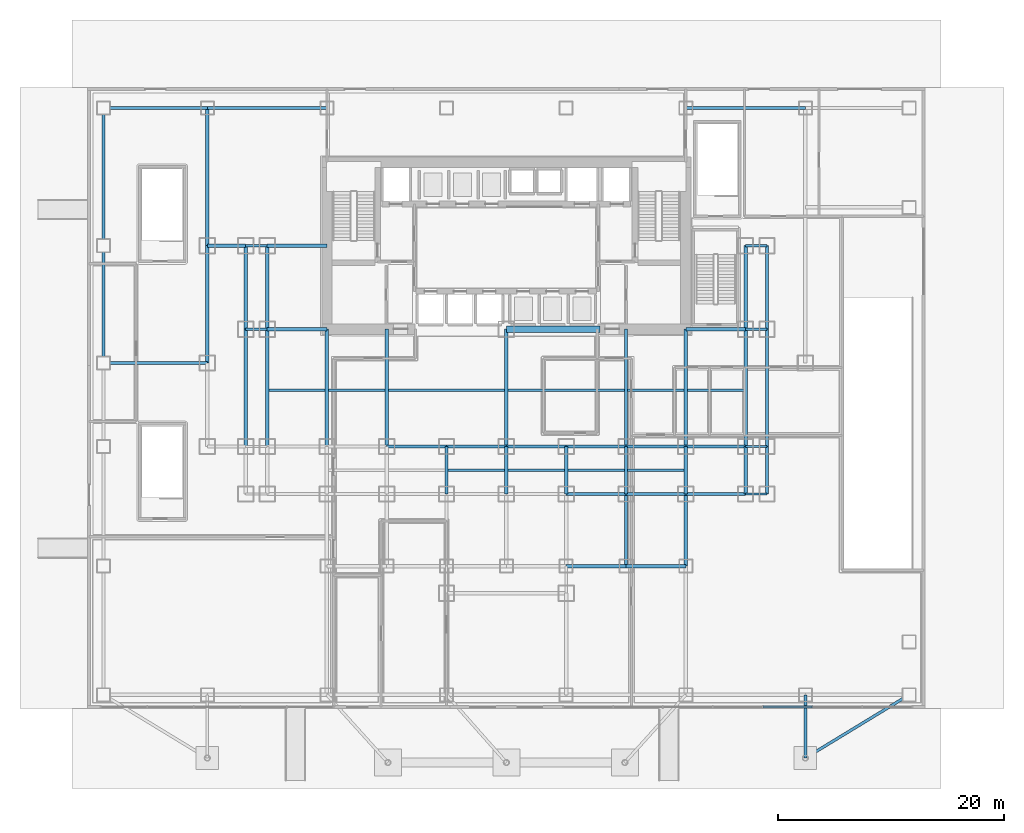
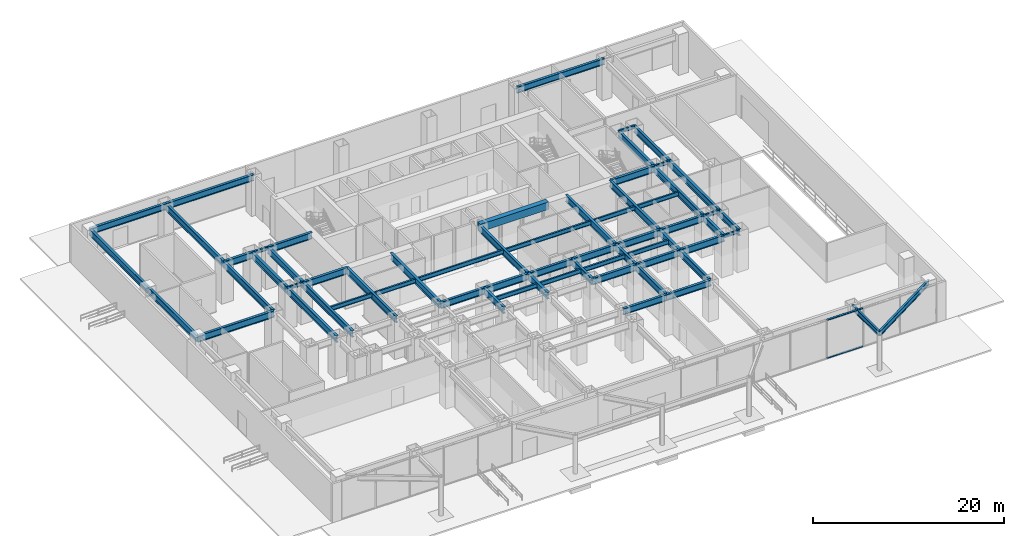
# One storey, part 7 of 18: 64 beams, 2 members, 1 element without a shape of its own.
"""IFC4 building model written with IfcOpenShell, lengths in metres."""

from ifc_helpers import new_model, si_unit, direction, frame, origin, origin_2d, place, context, subcontext, project, spatial, rectangle, i_section, extrude, source, transform, mapped, material, layer, layer_set, material_profile, profile_set, type_object, element, aggregate, save


model = new_model("IFC4")

# Units and contexts
model_context = context("Model", 3, precision=1e-05, world=origin(), true_north=direction((0.0, 1.0)))
body_context = subcontext(model_context, "Body", "Model", "MODEL_VIEW")
ifc_project = project(units=[si_unit("LENGTHUNIT", "METRE"), si_unit("AREAUNIT", "SQUARE_METRE"), si_unit("VOLUMEUNIT", "CUBIC_METRE"), si_unit("PLANEANGLEUNIT", "RADIAN"), si_unit("MASSUNIT", "GRAM", prefix="KILO")], contexts=[model_context])

# Site, building, storey
site_placement = place(None, origin())
site = spatial("IfcSite", under=ifc_project, at=site_placement, CompositionType="ELEMENT")
building_placement = place(site_placement, origin())
building = spatial("IfcBuilding", under=site, at=building_placement, Name="Qianlan Lanfeng Residences", CompositionType="ELEMENT")
storey_placement = place(building_placement, origin())
storey = spatial("IfcBuildingStorey", under=building, at=storey_placement, Name="L00", CompositionType="ELEMENT", Elevation=0.0)

# Beams
ifc_material_1 = material(Name="Steel SN490B", Category="steel")
ifc_material_profile_1 = material_profile(ifc_material_1, i_section(OverallWidth=0.300048828125, OverallDepth=0.85009765625, WebThickness=0.01611328125, FlangeThickness=0.031982421875, at=origin_2d()), Name="H 850x300x16x32")
ifc_profile_set_1 = profile_set([ifc_material_profile_1], Name="Steel SN490B")
beam_type_1 = type_object("IfcBeamType", Name="G-1100", PredefinedType="BEAM", material=ifc_profile_set_1)
beam_1_placement = place(storey_placement, frame((31.800048828125, 10.60009765625, 4.52490234375), z_axis=(1.0, 0.0, 0.0), x_axis=(0.0, 1.0, 0.0)))
element("IfcBeam", 1, at=beam_1_placement, inside=storey, type_object=beam_type_1, Name="Structural beam G-1100", PredefinedType="BEAM", context=body_context, shape_type="SweptSolid", body=[
    extrude(i_section(OverallWidth=0.300048828125, OverallDepth=0.85009765625, WebThickness=0.01611328125, FlangeThickness=0.031982421875, at=origin_2d()), origin(), (0.0, 0.0, 1.0), 5.300048828125),
])
beam_2_placement = place(storey_placement, frame((37.10009765625, 10.60009765625, 4.52490234375), z_axis=(1.0, 0.0, 0.0), x_axis=(0.0, 1.0, 0.0)))
element("IfcBeam", 2, at=beam_2_placement, inside=storey, type_object=beam_type_1, Name="Structural beam G-1100", PredefinedType="BEAM", context=body_context, shape_type="SweptSolid", body=[
    extrude(i_section(OverallWidth=0.300048828125, OverallDepth=0.85009765625, WebThickness=0.01611328125, FlangeThickness=0.031982421875, at=origin_2d()), origin(), (0.0, 0.0, 1.0), 5.2998046875),
])
for number, where, z_axis, x_axis, name in (
    (3, (42.39990234375, 10.60009765625, 4.52490234375), (1.0, 0.0, 0.0), (0.0, 1.0, 0.0), "Structural beam G-1100"),
    (4, (15.89990234375, 14.800048828125, 4.52490234375), (1.0, 0.0, 0.0), (0.0, 1.0, 0.0), "Structural beam G-1100"),
    (5, (21.199951171875, 14.800048828125, 4.52490234375), (1.0, 0.0, 0.0), (0.0, 1.0, 0.0), "Structural beam G-1100"),
    (6, (26.5, 14.800048828125, 4.52490234375), (1.0, 0.0, 0.0), (0.0, 1.0, 0.0), "Structural beam G-1100"),
    (7, (31.800048828125, 14.800048828125, 4.52490234375), (1.0, 0.0, 0.0), (0.0, 1.0, 0.0), "Structural beam G-1100"),
):
    element("IfcBeam", number, at=place(storey_placement, frame(where, z_axis=z_axis, x_axis=x_axis)), inside=storey, type_object=beam_type_1, Name=name, PredefinedType="BEAM", context=body_context, shape_type="SweptSolid", body=[
        extrude(i_section(OverallWidth=0.300048828125, OverallDepth=0.85009765625, WebThickness=0.01611328125, FlangeThickness=0.031982421875, at=origin_2d()), origin(), (0.0, 0.0, 1.0), 5.300048828125),
    ])
beam_3_placement = place(storey_placement, frame((37.10009765625, 14.800048828125, 4.52490234375), z_axis=(1.0, 0.0, 0.0), x_axis=(0.0, 1.0, 0.0)))
element("IfcBeam", 8, at=beam_3_placement, inside=storey, type_object=beam_type_1, Name="Structural beam G-1100", PredefinedType="BEAM", context=body_context, shape_type="SweptSolid", body=[
    extrude(i_section(OverallWidth=0.300048828125, OverallDepth=0.85009765625, WebThickness=0.01611328125, FlangeThickness=0.031982421875, at=origin_2d()), origin(), (0.0, 0.0, 1.0), 5.2998046875),
])
beam_4_placement = place(storey_placement, frame((42.39990234375, 14.800048828125, 4.52490234375), z_axis=(1.0, 0.0, 0.0), x_axis=(0.0, 1.0, 0.0)))
element("IfcBeam", 9, at=beam_4_placement, inside=storey, type_object=beam_type_1, Name="Structural beam G-1100", PredefinedType="BEAM", context=body_context, shape_type="SweptSolid", body=[
    extrude(i_section(OverallWidth=0.300048828125, OverallDepth=0.85009765625, WebThickness=0.01611328125, FlangeThickness=0.031982421875, at=origin_2d()), origin(), (0.0, 0.0, 1.0), 5.300048828125),
])
beam_5_placement = place(storey_placement, frame((-9.199951171875, 22.199951171875, 4.52490234375), z_axis=(1.0, 0.0, 0.0), x_axis=(0.0, 1.0, 0.0)))
element("IfcBeam", 10, at=beam_5_placement, inside=storey, type_object=beam_type_1, Name="Structural beam G-1100", PredefinedType="BEAM", context=body_context, shape_type="SweptSolid", body=[
    extrude(i_section(OverallWidth=0.300048828125, OverallDepth=0.85009765625, WebThickness=0.01611328125, FlangeThickness=0.031982421875, at=origin_2d()), origin(), (0.0, 0.0, 1.0), 9.199951171875),
])
for number, where, z_axis, x_axis, name in (
    (11, (5.300048828125, 25.199951171875, 4.52490234375), (1.0, 0.0, 0.0), (0.0, 1.0, 0.0), "Structural beam G-1100"),
    (12, (42.39990234375, 25.199951171875, 4.52490234375), (1.0, 0.0, 0.0), (0.0, 1.0, 0.0), "Structural beam G-1100"),
):
    element("IfcBeam", number, at=place(storey_placement, frame(where, z_axis=z_axis, x_axis=x_axis)), inside=storey, type_object=beam_type_1, Name=name, PredefinedType="BEAM", context=body_context, shape_type="SweptSolid", body=[
        extrude(i_section(OverallWidth=0.300048828125, OverallDepth=0.85009765625, WebThickness=0.01611328125, FlangeThickness=0.031982421875, at=origin_2d()), origin(), (0.0, 0.0, 1.0), 5.300048828125),
    ])
beam_6_placement = place(storey_placement, frame((0.0, 32.60009765625, 4.52490234375), z_axis=(1.0, 0.0, 0.0), x_axis=(0.0, 1.0, 0.0)))
element("IfcBeam", 13, at=beam_6_placement, inside=storey, type_object=beam_type_1, Name="Structural beam G-1100", PredefinedType="BEAM", context=body_context, shape_type="SweptSolid", body=[
    extrude(i_section(OverallWidth=0.300048828125, OverallDepth=0.85009765625, WebThickness=0.01611328125, FlangeThickness=0.031982421875, at=origin_2d()), origin(), (0.0, 0.0, 1.0), 3.39990234375),
])
beam_7_placement = place(storey_placement, frame((5.300048828125, 32.60009765625, 4.52490234375), z_axis=(1.0, 0.0, 0.0), x_axis=(0.0, 1.0, 0.0)))
element("IfcBeam", 14, at=beam_7_placement, inside=storey, type_object=beam_type_1, Name="Structural beam G-1100", PredefinedType="BEAM", context=body_context, shape_type="SweptSolid", body=[
    extrude(i_section(OverallWidth=0.300048828125, OverallDepth=0.85009765625, WebThickness=0.01611328125, FlangeThickness=0.031982421875, at=origin_2d()), origin(), (0.0, 0.0, 1.0), 5.300048828125),
])
beam_8_placement = place(storey_placement, frame((-9.199951171875, 22.199951171875, 4.52490234375), z_axis=(0.0, 1.0, 0.0), x_axis=(-1.0, 0.0, 0.0)))
element("IfcBeam", 15, at=beam_8_placement, inside=storey, type_object=beam_type_1, Name="Structural beam G-1100", PredefinedType="BEAM", context=body_context, shape_type="SweptSolid", body=[
    extrude(i_section(OverallWidth=0.300048828125, OverallDepth=0.85009765625, WebThickness=0.01611328125, FlangeThickness=0.031982421875, at=origin_2d()), origin(), (0.0, 0.0, 1.0), 10.400146484375),
])
beam_9_placement = place(storey_placement, frame((-9.199951171875, 32.60009765625, 4.52490234375), z_axis=(0.0, 1.0, 0.0), x_axis=(-1.0, 0.0, 0.0)))
element("IfcBeam", 16, at=beam_9_placement, inside=storey, type_object=beam_type_1, Name="Structural beam G-1100", PredefinedType="BEAM", context=body_context, shape_type="SweptSolid", body=[
    extrude(i_section(OverallWidth=0.300048828125, OverallDepth=0.85009765625, WebThickness=0.01611328125, FlangeThickness=0.031982421875, at=origin_2d()), origin(), (0.0, 0.0, 1.0), 12.199951171875),
])
beam_10_placement = place(storey_placement, frame((0.0, 22.199951171875, 4.52490234375), z_axis=(0.0, 1.0, 0.0), x_axis=(-1.0, 0.0, 0.0)))
element("IfcBeam", 17, at=beam_10_placement, inside=storey, type_object=beam_type_1, Name="Structural beam G-1100", PredefinedType="BEAM", context=body_context, shape_type="SweptSolid", body=[
    extrude(i_section(OverallWidth=0.300048828125, OverallDepth=0.85009765625, WebThickness=0.01611328125, FlangeThickness=0.031982421875, at=origin_2d()), origin(), (0.0, 0.0, 1.0), 10.400146484375),
])
beam_11_placement = place(storey_placement, frame((0.0, 32.60009765625, 4.52490234375), z_axis=(0.0, 1.0, 0.0), x_axis=(-1.0, 0.0, 0.0)))
element("IfcBeam", 18, at=beam_11_placement, inside=storey, type_object=beam_type_1, Name="Structural beam G-1100", PredefinedType="BEAM", context=body_context, shape_type="SweptSolid", body=[
    extrude(i_section(OverallWidth=0.300048828125, OverallDepth=0.85009765625, WebThickness=0.01611328125, FlangeThickness=0.031982421875, at=origin_2d()), origin(), (0.0, 0.0, 1.0), 12.199951171875),
])
beam_12_placement = place(storey_placement, frame((3.39990234375, 14.800048828125, 4.52490234375), z_axis=(0.0, 1.0, 0.0), x_axis=(-1.0, 0.0, 0.0)))
element("IfcBeam", 19, at=beam_12_placement, inside=storey, type_object=beam_type_1, Name="Structural beam G-1100", PredefinedType="BEAM", context=body_context, shape_type="SweptSolid", body=[
    extrude(i_section(OverallWidth=0.300048828125, OverallDepth=0.85009765625, WebThickness=0.01611328125, FlangeThickness=0.031982421875, at=origin_2d()), origin(), (0.0, 0.0, 1.0), 10.39990234375),
])
beam_13_placement = place(storey_placement, frame((3.39990234375, 25.199951171875, 4.52490234375), z_axis=(0.0, 1.0, 0.0), x_axis=(-1.0, 0.0, 0.0)))
element("IfcBeam", 20, at=beam_13_placement, inside=storey, type_object=beam_type_1, Name="Structural beam G-1100", PredefinedType="BEAM", context=body_context, shape_type="SweptSolid", body=[
    extrude(i_section(OverallWidth=0.300048828125, OverallDepth=0.85009765625, WebThickness=0.01611328125, FlangeThickness=0.031982421875, at=origin_2d()), origin(), (0.0, 0.0, 1.0), 7.400146484375),
])
beam_14_placement = place(storey_placement, frame((5.300048828125, 14.800048828125, 4.52490234375), z_axis=(0.0, 1.0, 0.0), x_axis=(-1.0, 0.0, 0.0)))
element("IfcBeam", 21, at=beam_14_placement, inside=storey, type_object=beam_type_1, Name="Structural beam G-1100", PredefinedType="BEAM", context=body_context, shape_type="SweptSolid", body=[
    extrude(i_section(OverallWidth=0.300048828125, OverallDepth=0.85009765625, WebThickness=0.01611328125, FlangeThickness=0.031982421875, at=origin_2d()), origin(), (0.0, 0.0, 1.0), 10.39990234375),
])
beam_15_placement = place(storey_placement, frame((5.300048828125, 25.199951171875, 4.52490234375), z_axis=(0.0, 1.0, 0.0), x_axis=(-1.0, 0.0, 0.0)))
element("IfcBeam", 22, at=beam_15_placement, inside=storey, type_object=beam_type_1, Name="Structural beam G-1100", PredefinedType="BEAM", context=body_context, shape_type="SweptSolid", body=[
    extrude(i_section(OverallWidth=0.300048828125, OverallDepth=0.85009765625, WebThickness=0.01611328125, FlangeThickness=0.031982421875, at=origin_2d()), origin(), (0.0, 0.0, 1.0), 7.400146484375),
])
for number, where, z_axis, x_axis, name in (
    (23, (10.60009765625, 14.800048828125, 4.52490234375), (0.0, 1.0, 0.0), (-1.0, 0.0, 0.0), "Structural beam G-1100"),
    (24, (15.89990234375, 14.800048828125, 4.52490234375), (0.0, 1.0, 0.0), (-1.0, 0.0, 0.0), "Structural beam G-1100"),
):
    element("IfcBeam", number, at=place(storey_placement, frame(where, z_axis=z_axis, x_axis=x_axis)), inside=storey, type_object=beam_type_1, Name=name, PredefinedType="BEAM", context=body_context, shape_type="SweptSolid", body=[
        extrude(i_section(OverallWidth=0.300048828125, OverallDepth=0.85009765625, WebThickness=0.01611328125, FlangeThickness=0.031982421875, at=origin_2d()), origin(), (0.0, 0.0, 1.0), 10.39990234375),
    ])
for number, where, z_axis, x_axis, name in (
    (25, (21.199951171875, 10.60009765625, 4.52490234375), (0.0, 1.0, 0.0), (-1.0, 0.0, 0.0), "Structural beam G-1100"),
    (26, (26.5, 10.60009765625, 4.52490234375), (0.0, 1.0, 0.0), (-1.0, 0.0, 0.0), "Structural beam G-1100"),
):
    element("IfcBeam", number, at=place(storey_placement, frame(where, z_axis=z_axis, x_axis=x_axis)), inside=storey, type_object=beam_type_1, Name=name, PredefinedType="BEAM", context=body_context, shape_type="SweptSolid", body=[
        extrude(i_section(OverallWidth=0.300048828125, OverallDepth=0.85009765625, WebThickness=0.01611328125, FlangeThickness=0.031982421875, at=origin_2d()), origin(), (0.0, 0.0, 1.0), 4.199951171875),
    ])
beam_16_placement = place(storey_placement, frame((26.5, 14.800048828125, 4.52490234375), z_axis=(0.0, 1.0, 0.0), x_axis=(-1.0, 0.0, 0.0)))
element("IfcBeam", 27, at=beam_16_placement, inside=storey, type_object=beam_type_1, Name="Structural beam G-1100", PredefinedType="BEAM", context=body_context, shape_type="SweptSolid", body=[
    extrude(i_section(OverallWidth=0.300048828125, OverallDepth=0.85009765625, WebThickness=0.01611328125, FlangeThickness=0.031982421875, at=origin_2d()), origin(), (0.0, 0.0, 1.0), 10.39990234375),
])
beam_17_placement = place(storey_placement, frame((31.800048828125, 10.60009765625, 4.52490234375), z_axis=(0.0, 1.0, 0.0), x_axis=(-1.0, 0.0, 0.0)))
element("IfcBeam", 28, at=beam_17_placement, inside=storey, type_object=beam_type_1, Name="Structural beam G-1100", PredefinedType="BEAM", context=body_context, shape_type="SweptSolid", body=[
    extrude(i_section(OverallWidth=0.300048828125, OverallDepth=0.85009765625, WebThickness=0.01611328125, FlangeThickness=0.031982421875, at=origin_2d()), origin(), (0.0, 0.0, 1.0), 4.199951171875),
])
beam_18_placement = place(storey_placement, frame((37.10009765625, 4.199951171875, 4.52490234375), z_axis=(0.0, 1.0, 0.0), x_axis=(-1.0, 0.0, 0.0)))
element("IfcBeam", 29, at=beam_18_placement, inside=storey, type_object=beam_type_1, Name="Structural beam G-1100", PredefinedType="BEAM", context=body_context, shape_type="SweptSolid", body=[
    extrude(i_section(OverallWidth=0.300048828125, OverallDepth=0.85009765625, WebThickness=0.01611328125, FlangeThickness=0.031982421875, at=origin_2d()), origin(), (0.0, 0.0, 1.0), 6.400146484375),
])
beam_19_placement = place(storey_placement, frame((37.10009765625, 10.60009765625, 4.52490234375), z_axis=(0.0, 1.0, 0.0), x_axis=(-1.0, 0.0, 0.0)))
element("IfcBeam", 30, at=beam_19_placement, inside=storey, type_object=beam_type_1, Name="Structural beam G-1100", PredefinedType="BEAM", context=body_context, shape_type="SweptSolid", body=[
    extrude(i_section(OverallWidth=0.300048828125, OverallDepth=0.85009765625, WebThickness=0.01611328125, FlangeThickness=0.031982421875, at=origin_2d()), origin(), (0.0, 0.0, 1.0), 4.199951171875),
])
beam_20_placement = place(storey_placement, frame((37.10009765625, 14.800048828125, 4.52490234375), z_axis=(0.0, 1.0, 0.0), x_axis=(-1.0, 0.0, 0.0)))
element("IfcBeam", 31, at=beam_20_placement, inside=storey, type_object=beam_type_1, Name="Structural beam G-1100", PredefinedType="BEAM", context=body_context, shape_type="SweptSolid", body=[
    extrude(i_section(OverallWidth=0.300048828125, OverallDepth=0.85009765625, WebThickness=0.01611328125, FlangeThickness=0.031982421875, at=origin_2d()), origin(), (0.0, 0.0, 1.0), 10.39990234375),
])
beam_21_placement = place(storey_placement, frame((42.39990234375, 4.199951171875, 4.52490234375), z_axis=(0.0, 1.0, 0.0), x_axis=(-1.0, 0.0, 0.0)))
element("IfcBeam", 32, at=beam_21_placement, inside=storey, type_object=beam_type_1, Name="Structural beam G-1100", PredefinedType="BEAM", context=body_context, shape_type="SweptSolid", body=[
    extrude(i_section(OverallWidth=0.300048828125, OverallDepth=0.85009765625, WebThickness=0.01611328125, FlangeThickness=0.031982421875, at=origin_2d()), origin(), (0.0, 0.0, 1.0), 6.400146484375),
])
beam_22_placement = place(storey_placement, frame((42.39990234375, 10.60009765625, 4.52490234375), z_axis=(0.0, 1.0, 0.0), x_axis=(-1.0, 0.0, 0.0)))
element("IfcBeam", 33, at=beam_22_placement, inside=storey, type_object=beam_type_1, Name="Structural beam G-1100", PredefinedType="BEAM", context=body_context, shape_type="SweptSolid", body=[
    extrude(i_section(OverallWidth=0.300048828125, OverallDepth=0.85009765625, WebThickness=0.01611328125, FlangeThickness=0.031982421875, at=origin_2d()), origin(), (0.0, 0.0, 1.0), 4.199951171875),
])
beam_23_placement = place(storey_placement, frame((42.39990234375, 14.800048828125, 4.52490234375), z_axis=(0.0, 1.0, 0.0), x_axis=(-1.0, 0.0, 0.0)))
element("IfcBeam", 34, at=beam_23_placement, inside=storey, type_object=beam_type_1, Name="Structural beam G-1100", PredefinedType="BEAM", context=body_context, shape_type="SweptSolid", body=[
    extrude(i_section(OverallWidth=0.300048828125, OverallDepth=0.85009765625, WebThickness=0.01611328125, FlangeThickness=0.031982421875, at=origin_2d()), origin(), (0.0, 0.0, 1.0), 10.39990234375),
])
beam_24_placement = place(storey_placement, frame((47.699951171875, 10.60009765625, 4.52490234375), z_axis=(0.0, 1.0, 0.0), x_axis=(-1.0, 0.0, 0.0)))
element("IfcBeam", 35, at=beam_24_placement, inside=storey, type_object=beam_type_1, Name="Structural beam G-1100", PredefinedType="BEAM", context=body_context, shape_type="SweptSolid", body=[
    extrude(i_section(OverallWidth=0.300048828125, OverallDepth=0.85009765625, WebThickness=0.01611328125, FlangeThickness=0.031982421875, at=origin_2d()), origin(), (0.0, 0.0, 1.0), 4.199951171875),
])
beam_25_placement = place(storey_placement, frame((47.699951171875, 14.800048828125, 4.52490234375), z_axis=(0.0, 1.0, 0.0), x_axis=(-1.0, 0.0, 0.0)))
element("IfcBeam", 36, at=beam_25_placement, inside=storey, type_object=beam_type_1, Name="Structural beam G-1100", PredefinedType="BEAM", context=body_context, shape_type="SweptSolid", body=[
    extrude(i_section(OverallWidth=0.300048828125, OverallDepth=0.85009765625, WebThickness=0.01611328125, FlangeThickness=0.031982421875, at=origin_2d()), origin(), (0.0, 0.0, 1.0), 10.39990234375),
])
beam_26_placement = place(storey_placement, frame((47.699951171875, 25.199951171875, 4.52490234375), z_axis=(0.0, 1.0, 0.0), x_axis=(-1.0, 0.0, 0.0)))
element("IfcBeam", 37, at=beam_26_placement, inside=storey, type_object=beam_type_1, Name="Structural beam G-1100", PredefinedType="BEAM", context=body_context, shape_type="SweptSolid", body=[
    extrude(i_section(OverallWidth=0.300048828125, OverallDepth=0.85009765625, WebThickness=0.01611328125, FlangeThickness=0.031982421875, at=origin_2d()), origin(), (0.0, 0.0, 1.0), 7.400146484375),
])
beam_27_placement = place(storey_placement, frame((49.60009765625, 10.60009765625, 4.52490234375), z_axis=(0.0, 1.0, 0.0), x_axis=(-1.0, 0.0, 0.0)))
element("IfcBeam", 38, at=beam_27_placement, inside=storey, type_object=beam_type_1, Name="Structural beam G-1100", PredefinedType="BEAM", context=body_context, shape_type="SweptSolid", body=[
    extrude(i_section(OverallWidth=0.300048828125, OverallDepth=0.85009765625, WebThickness=0.01611328125, FlangeThickness=0.031982421875, at=origin_2d()), origin(), (0.0, 0.0, 1.0), 4.199951171875),
])
beam_28_placement = place(storey_placement, frame((49.60009765625, 14.800048828125, 4.52490234375), z_axis=(0.0, 1.0, 0.0), x_axis=(-1.0, 0.0, 0.0)))
element("IfcBeam", 39, at=beam_28_placement, inside=storey, type_object=beam_type_1, Name="Structural beam G-1100", PredefinedType="BEAM", context=body_context, shape_type="SweptSolid", body=[
    extrude(i_section(OverallWidth=0.300048828125, OverallDepth=0.85009765625, WebThickness=0.01611328125, FlangeThickness=0.031982421875, at=origin_2d()), origin(), (0.0, 0.0, 1.0), 10.39990234375),
])
beam_29_placement = place(storey_placement, frame((49.60009765625, 25.199951171875, 4.52490234375), z_axis=(0.0, 1.0, 0.0), x_axis=(-1.0, 0.0, 0.0)))
element("IfcBeam", 40, at=beam_29_placement, inside=storey, type_object=beam_type_1, Name="Structural beam G-1100", PredefinedType="BEAM", context=body_context, shape_type="SweptSolid", body=[
    extrude(i_section(OverallWidth=0.300048828125, OverallDepth=0.85009765625, WebThickness=0.01611328125, FlangeThickness=0.031982421875, at=origin_2d()), origin(), (0.0, 0.0, 1.0), 7.400146484375),
])
ifc_material_profile_2 = material_profile(ifc_material_1, i_section(OverallWidth=0.199951171875, OverallDepth=0.449951171875, WebThickness=0.009033203125, FlangeThickness=0.013916015625, at=origin_2d()), Name="H 450x200x9x14")
ifc_profile_set_2 = profile_set([ifc_material_profile_2], Name="Steel SN490B")
beam_type_2 = type_object("IfcBeamType", Name="J-450", PredefinedType="JOIST", material=ifc_profile_set_2)
for number, where, z_axis, x_axis, name in (
    (41, (47.699951171875, 10.60009765625, 4.72509765625), (1.0, 0.0, 0.0), (0.0, 1.0, 0.0), "Structural beam J-450"),
    (42, (47.699951171875, 14.800048828125, 4.72509765625), (1.0, 0.0, 0.0), (0.0, 1.0, 0.0), "Structural beam J-450"),
    (43, (3.39990234375, 25.199951171875, 4.72509765625), (1.0, 0.0, 0.0), (0.0, 1.0, 0.0), "Structural beam J-450"),
    (44, (47.699951171875, 25.199951171875, 4.72509765625), (1.0, 0.0, 0.0), (0.0, 1.0, 0.0), "Structural beam J-450"),
    (45, (3.39990234375, 32.60009765625, 4.72509765625), (1.0, 0.0, 0.0), (0.0, 1.0, 0.0), "Structural beam J-450"),
    (46, (47.699951171875, 32.60009765625, 4.72509765625), (1.0, 0.0, 0.0), (0.0, 1.0, 0.0), "Structural beam J-450"),
):
    element("IfcBeam", number, at=place(storey_placement, frame(where, z_axis=z_axis, x_axis=x_axis)), inside=storey, type_object=beam_type_2, Name=name, PredefinedType="JOIST", context=body_context, shape_type="SweptSolid", body=[
        extrude(i_section(OverallWidth=0.199951171875, OverallDepth=0.449951171875, WebThickness=0.009033203125, FlangeThickness=0.013916015625, at=origin_2d()), origin(), (0.0, 0.0, 1.0), 1.900146484375),
    ])
ifc_material_profile_3 = material_profile(ifc_material_1, i_section(OverallWidth=0.199951171875, OverallDepth=0.550048828125, WebThickness=0.010986328125, FlangeThickness=0.01806640625, at=origin_2d()), Name="H 550x200x11x18")
ifc_profile_set_3 = profile_set([ifc_material_profile_3], Name="Steel SN490B")
beam_type_3 = type_object("IfcBeamType", Name="J-550", PredefinedType="JOIST", material=ifc_profile_set_3)
for number, where, z_axis, x_axis, name in (
    (47, (21.35009765625, 12.699951171875, 4.675048828125), (1.0, 0.0, 0.0), (0.0, 1.0, 0.0), "Structural beam J-550"),
    (48, (26.64990234375, 12.699951171875, 4.675048828125), (1.0, 0.0, 0.0), (0.0, 1.0, 0.0), "Structural beam J-550"),
    (49, (31.949951171875, 12.699951171875, 4.675048828125), (1.0, 0.0, 0.0), (0.0, 1.0, 0.0), "Structural beam J-550"),
    (50, (37.25, 12.699951171875, 4.675048828125), (1.0, 0.0, 0.0), (0.0, 1.0, 0.0), "Structural beam J-550"),
    (51, (5.449951171875, 19.800048828125, 4.675048828125), (1.0, 0.0, 0.0), (0.0, 1.0, 0.0), "Structural beam J-550"),
    (52, (10.75, 19.800048828125, 4.675048828125), (1.0, 0.0, 0.0), (0.0, 1.0, 0.0), "Structural beam J-550"),
):
    element("IfcBeam", number, at=place(storey_placement, frame(where, z_axis=z_axis, x_axis=x_axis)), inside=storey, type_object=beam_type_3, Name=name, PredefinedType="JOIST", context=body_context, shape_type="SweptSolid", body=[
        extrude(i_section(OverallWidth=0.199951171875, OverallDepth=0.550048828125, WebThickness=0.010986328125, FlangeThickness=0.01806640625, at=origin_2d()), origin(), (0.0, 0.0, 1.0), 5.0),
    ])
for number, where, z_axis, x_axis, name in (
    (53, (16.050048828125, 19.800048828125, 4.675048828125), (1.0, 0.0, 0.0), (0.0, 1.0, 0.0), "Structural beam J-550"),
    (54, (26.64990234375, 19.800048828125, 4.675048828125), (1.0, 0.0, 0.0), (0.0, 1.0, 0.0), "Structural beam J-550"),
):
    element("IfcBeam", number, at=place(storey_placement, frame(where, z_axis=z_axis, x_axis=x_axis)), inside=storey, type_object=beam_type_3, Name=name, PredefinedType="JOIST", context=body_context, shape_type="SweptSolid", body=[
        extrude(i_section(OverallWidth=0.199951171875, OverallDepth=0.550048828125, WebThickness=0.010986328125, FlangeThickness=0.01806640625, at=origin_2d()), origin(), (0.0, 0.0, 1.0), 10.300048828125),
    ])
for number, where, z_axis, x_axis, name in (
    (55, (37.25, 19.800048828125, 4.675048828125), (1.0, 0.0, 0.0), (0.0, 1.0, 0.0), "Structural beam J-550"),
    (56, (42.550048828125, 19.800048828125, 4.675048828125), (1.0, 0.0, 0.0), (0.0, 1.0, 0.0), "Structural beam J-550"),
):
    element("IfcBeam", number, at=place(storey_placement, frame(where, z_axis=z_axis, x_axis=x_axis)), inside=storey, type_object=beam_type_3, Name=name, PredefinedType="JOIST", context=body_context, shape_type="SweptSolid", body=[
        extrude(i_section(OverallWidth=0.199951171875, OverallDepth=0.550048828125, WebThickness=0.010986328125, FlangeThickness=0.01806640625, at=origin_2d()), origin(), (0.0, 0.0, 1.0), 5.0),
    ])
ifc_material_2 = material(Name="Concrete C60", Category="concrete")
ifc_material_profile_4 = material_profile(ifc_material_2, rectangle(XDim=0.60009765625, YDim=0.949951171875, at=origin_2d()), Name="RC 600x950")
ifc_profile_set_4 = profile_set([ifc_material_profile_4], Name="Concrete C60")
beam_type_4 = type_object("IfcBeamType", Name="LB-RC900", PredefinedType="BEAM", material=ifc_profile_set_4)
beam_30_placement = place(storey_placement, frame((26.5, 25.199951171875, 4.47509765625), z_axis=(1.0, 0.0, 0.0), x_axis=(0.0, 1.0, 0.0)))
element("IfcBeam", 57, at=beam_30_placement, inside=storey, type_object=beam_type_4, Name="L00 Core Coupling Beam E", PredefinedType="BEAM", context=body_context, shape_type="SweptSolid", body=[
    extrude(rectangle(XDim=0.60009765625, YDim=0.949951171875, at=origin_2d()), origin(), (0.0, 0.0, 1.0), 8.300048828125),
])
ifc_material_profile_5 = material_profile(ifc_material_1, i_section(OverallWidth=0.25, OverallDepth=0.64990234375, WebThickness=0.012939453125, FlangeThickness=0.02197265625, at=origin_2d()), Name="H 650x250x13x22")
ifc_profile_set_5 = profile_set([ifc_material_profile_5], Name="Steel SN490B")
beam_type_5 = type_object("IfcBeamType", Name="SG-650", PredefinedType="SPANDREL", material=ifc_profile_set_5)
beam_31_placement = place(storey_placement, frame((53.0, -12.800048828125, 4.625), z_axis=(0.0, 1.0, 0.0), x_axis=(-1.0, 0.0, 0.0)))
element("IfcBeam", 58, at=beam_31_placement, inside=storey, type_object=beam_type_5, Name="East Plaza Pergola Beam 1", PredefinedType="SPANDREL", context=body_context, shape_type="SweptSolid", body=[
    extrude(i_section(OverallWidth=0.25, OverallDepth=0.64990234375, WebThickness=0.012939453125, FlangeThickness=0.02197265625, at=origin_2d()), origin(), (0.0, 0.0, 1.0), 5.60009765625),
])
beam_32_placement = place(storey_placement, frame((53.0, -12.800048828125, 4.625), z_axis=(0.854193302878, 0.519955576292, 0.0), x_axis=(-0.519955576292, 0.854193302878, 0.0)))
element("IfcBeam", 59, at=beam_32_placement, inside=storey, type_object=beam_type_5, Name="East Plaza Pergola Beam 2", PredefinedType="SPANDREL", context=body_context, shape_type="SweptSolid", body=[
    extrude(i_section(OverallWidth=0.25, OverallDepth=0.64990234375, WebThickness=0.012939453125, FlangeThickness=0.02197265625, at=origin_2d()), origin(), (0.0, 0.0, 1.0), 10.770263671875),
])
ifc_material_profile_6 = material_profile(ifc_material_1, i_section(OverallWidth=0.300048828125, OverallDepth=0.800048828125, WebThickness=0.01611328125, FlangeThickness=0.028076171875, at=origin_2d()), Name="H 800x300x16x28")
ifc_profile_set_6 = profile_set([ifc_material_profile_6], Name="Steel SN490B")
beam_type_6 = type_object("IfcBeamType", Name="SG-950", PredefinedType="SPANDREL", material=ifc_profile_set_6)
beam_33_placement = place(storey_placement, frame((31.800048828125, 4.199951171875, 4.550048828125), z_axis=(1.0, 0.0, 0.0), x_axis=(0.0, 1.0, 0.0)))
element("IfcBeam", 60, at=beam_33_placement, inside=storey, type_object=beam_type_6, Name="Structural beam SG-950", PredefinedType="SPANDREL", context=body_context, shape_type="SweptSolid", body=[
    extrude(i_section(OverallWidth=0.300048828125, OverallDepth=0.800048828125, WebThickness=0.01611328125, FlangeThickness=0.028076171875, at=origin_2d()), origin(), (0.0, 0.0, 1.0), 5.300048828125),
])
beam_34_placement = place(storey_placement, frame((37.10009765625, 4.199951171875, 4.550048828125), z_axis=(1.0, 0.0, 0.0), x_axis=(0.0, 1.0, 0.0)))
element("IfcBeam", 61, at=beam_34_placement, inside=storey, type_object=beam_type_6, Name="Structural beam SG-950", PredefinedType="SPANDREL", context=body_context, shape_type="SweptSolid", body=[
    extrude(i_section(OverallWidth=0.300048828125, OverallDepth=0.800048828125, WebThickness=0.01611328125, FlangeThickness=0.028076171875, at=origin_2d()), origin(), (0.0, 0.0, 1.0), 5.2998046875),
])
beam_35_placement = place(storey_placement, frame((-9.199951171875, 44.800048828125, 4.550048828125), z_axis=(1.0, 0.0, 0.0), x_axis=(0.0, 1.0, 0.0)))
element("IfcBeam", 62, at=beam_35_placement, inside=storey, type_object=beam_type_6, Name="Structural beam SG-950", PredefinedType="SPANDREL", context=body_context, shape_type="SweptSolid", body=[
    extrude(i_section(OverallWidth=0.300048828125, OverallDepth=0.800048828125, WebThickness=0.01611328125, FlangeThickness=0.028076171875, at=origin_2d()), origin(), (0.0, 0.0, 1.0), 9.199951171875),
])
for number, where, z_axis, x_axis, name in (
    (63, (0.0, 44.800048828125, 4.550048828125), (1.0, 0.0, 0.0), (0.0, 1.0, 0.0), "Structural beam SG-950"),
    (64, (42.39990234375, 44.800048828125, 4.550048828125), (1.0, 0.0, 0.0), (0.0, 1.0, 0.0), "Structural beam SG-950"),
):
    element("IfcBeam", number, at=place(storey_placement, frame(where, z_axis=z_axis, x_axis=x_axis)), inside=storey, type_object=beam_type_6, Name=name, PredefinedType="SPANDREL", context=body_context, shape_type="SweptSolid", body=[
        extrude(i_section(OverallWidth=0.300048828125, OverallDepth=0.800048828125, WebThickness=0.01611328125, FlangeThickness=0.028076171875, at=origin_2d()), origin(), (0.0, 0.0, 1.0), 10.60009765625),
    ])

# Curtain wall, members
ifc_material_3 = material(Name="Anodised Bronze Aluminium 6063-T6", Category="aluminium")
ifc_layer = layer(ifc_material_3, 0.219970703125)
ifc_layer_set = layer_set([ifc_layer], Name="Anodised Bronze Aluminium 6063-T6")
curtain_wall_type = type_object("IfcCurtainWallType", Name="CW-01", PredefinedType="NOTDEFINED", material=ifc_layer_set)
curtain_wall_placement = place(storey_placement, origin())
curtain_wall = element("IfcCurtainWall", 65, at=curtain_wall_placement, inside=storey, type_object=curtain_wall_type, Name="L00 Unitised Curtain Wall CWR-L00-SE (CW-01)", PredefinedType="NOTDEFINED")
ifc_material_profile_7 = material_profile(ifc_material_3, rectangle(XDim=0.080078125, YDim=0.159912109375, at=origin_2d()), Name="ALU TRANSOM 80x160")
ifc_profile_set_7 = profile_set([ifc_material_profile_7], Name="Anodised Bronze Aluminium 6063-T6")
member_type = type_object("IfcMemberType", Name="CWT-180", PredefinedType="USERDEFINED", material=ifc_profile_set_7)
shared_shape = source(origin(), body_context, "Body", "SweptSolid", [
    extrude(rectangle(XDim=0.080078125, YDim=0.159912109375, at=origin_2d()), origin(), (0.0, 0.0, 1.0), 4.337158203125),
])
member_1_placement = place(storey_placement, frame((49.24853515625, -8.27001953125, 0.0400390625), z_axis=(1.0, 0.0, 0.0), x_axis=(0.0, 0.0, 1.0)))
member_1 = element("IfcMember", 66, at=member_1_placement, type_object=member_type, Name="CWR-L00-SE Transom 5-BOT", ObjectType="TRANSOM", PredefinedType="USERDEFINED", context=body_context, shape_type="MappedRepresentation", body=[
    mapped(shared_shape, transform((0.0, 0.0, 0.0), scale=1.0)),
])
member_2_placement = place(storey_placement, frame((49.24853515625, -8.27001953125, 4.909912109375), z_axis=(1.0, 0.0, 0.0), x_axis=(0.0, 0.0, 1.0)))
member_2 = element("IfcMember", 67, at=member_2_placement, type_object=member_type, Name="CWR-L00-SE Transom 5-TOP", ObjectType="TRANSOM", PredefinedType="USERDEFINED", context=body_context, shape_type="MappedRepresentation", body=[
    mapped(shared_shape, transform((0.0, 0.0, 0.0), scale=1.0)),
])
aggregate(curtain_wall, [member_1, member_2])

save(model, "model.ifc")
